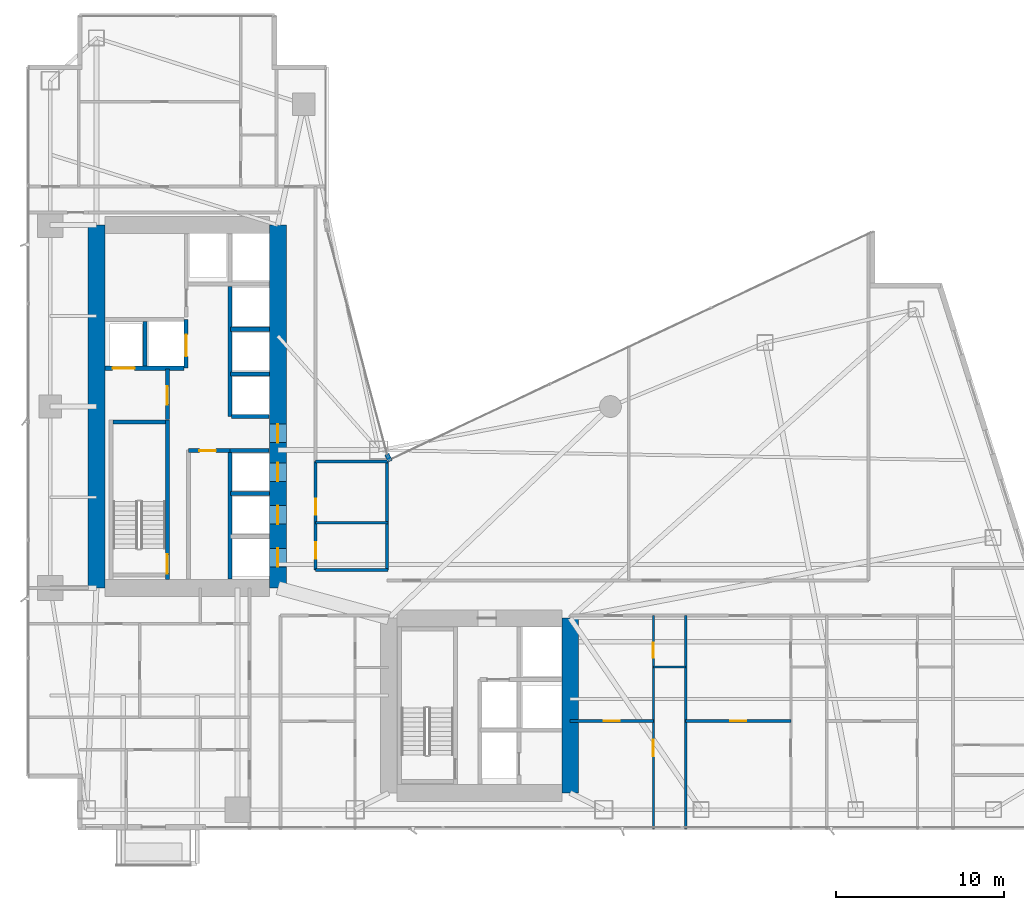
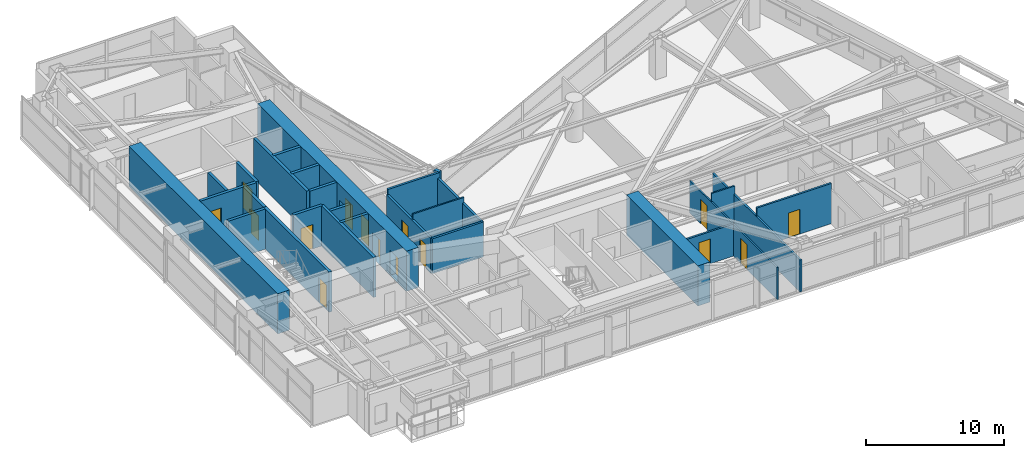
# One storey, part 23 of 30: 28 walls, 15 doors, 15 openings.
"""IFC4 building model written with IfcOpenShell, lengths in metres."""

from ifc_helpers import new_model, si_unit, direction, frame, frame_2d, origin, place, context, subcontext, project, spatial, rectangle, extrude, material, layer, layer_set, type_object, element, fill, save


model = new_model("IFC4")

# Units and contexts
model_context = context("Model", 3, precision=1e-05, world=origin(), true_north=direction((0.0, 1.0)))
body_context = subcontext(model_context, "Body", "Model", "MODEL_VIEW")
ifc_project = project(units=[si_unit("LENGTHUNIT", "METRE"), si_unit("AREAUNIT", "SQUARE_METRE"), si_unit("VOLUMEUNIT", "CUBIC_METRE"), si_unit("PLANEANGLEUNIT", "RADIAN"), si_unit("MASSUNIT", "GRAM", prefix="KILO")], contexts=[model_context])

# Site, building, storey
site_placement = place(None, origin())
site = spatial("IfcSite", under=ifc_project, at=site_placement, CompositionType="ELEMENT")
building_placement = place(site_placement, origin())
building = spatial("IfcBuilding", under=site, at=building_placement, Name="Calvorn Quay Hotel", CompositionType="ELEMENT")
storey_placement = place(building_placement, frame((0.0, 0.0, 30.800048828125)))
storey = spatial("IfcBuildingStorey", under=building, at=storey_placement, Name="L06", CompositionType="ELEMENT", Elevation=30.800048828125)

# Wall
ifc_material_1 = material(Name="Concrete C60", Category="concrete")
ifc_layer_1 = layer(ifc_material_1, 1.0)
ifc_layer_set_1 = layer_set([ifc_layer_1], Name="WL-CORE-1000")
wall_type_1 = type_object("IfcWallType", Name="WL-CORE-1000", PredefinedType="SHEAR", material=ifc_layer_set_1)
wall_1_placement = place(storey_placement, frame((4.199951171875, 16.800048828125, 0.0), z_axis=(0.0, 0.0, 1.0), x_axis=(0.0, 1.0, 0.0)))
element("IfcWall", 1, at=wall_1_placement, inside=storey, type_object=wall_type_1, Name="West Core Shear Wall W (L06)", PredefinedType="SHEAR", context=body_context, shape_type="SweptSolid", body=[
    extrude(rectangle(XDim=21.599853515625, YDim=1.0, at=frame_2d((10.7998046875, 0.0))), origin(), (0.0, 0.0, 1.0), 3.56005859375),
])

# Wall, openings, doors
wall_2_placement = place(storey_placement, frame((15.0, 16.800048828125, 0.0), z_axis=(0.0, 0.0, 1.0), x_axis=(0.0, 1.0, 0.0)))
wall_2 = element("IfcWall", 2, at=wall_2_placement, inside=storey, type_object=wall_type_1, Name="West Core Shear Wall E (L06)", PredefinedType="SHEAR", context=body_context, shape_type="SweptSolid", body=[
    extrude(rectangle(XDim=21.599853515625, YDim=1.0, at=frame_2d((10.7998046875, 0.0))), origin(), (0.0, 0.0, 1.0), 3.56005859375),
])
opening_1_placement = place(wall_2_placement, frame((8.64990234375, 0.0, 0.0)))
opening_1 = element("IfcOpeningElement", 3, at=opening_1_placement, cuts=wall_2, Name="Opening D-L06-CW1", PredefinedType="OPENING", context=body_context, shape_type="SweptSolid", body=[
    extrude(rectangle(XDim=1.10009765625, YDim=2.199951171875, at=frame_2d((0.550048828125, 1.10009765625))), frame((0.0, 0.510009765625, 0.0), z_axis=(0.0, -1.0, 0.0), x_axis=(1.0, 0.0, 0.0)), (0.0, 0.0, 1.0), 1.02001953125),
])
opening_2_placement = place(wall_2_placement, frame((1.25, 0.0, 0.0)))
opening_2 = element("IfcOpeningElement", 4, at=opening_2_placement, cuts=wall_2, Name="Opening LD-L06-L1", PredefinedType="OPENING", context=body_context, shape_type="SweptSolid", body=[
    extrude(rectangle(XDim=1.10009765625, YDim=2.199951171875, at=frame_2d((0.550048828125, 1.10009765625))), frame((0.0, 0.510009765625, 0.0), z_axis=(0.0, -1.0, 0.0), x_axis=(1.0, 0.0, 0.0)), (0.0, 0.0, 1.0), 1.02001953125),
])
opening_3_placement = place(wall_2_placement, frame((3.800048828125, 0.0, 0.0)))
opening_3 = element("IfcOpeningElement", 5, at=opening_3_placement, cuts=wall_2, Name="Opening LD-L06-L2", PredefinedType="OPENING", context=body_context, shape_type="SweptSolid", body=[
    extrude(rectangle(XDim=1.10009765625, YDim=2.199951171875, at=frame_2d((0.550048828125, 1.10009765625))), frame((0.0, 0.510009765625, 0.0), z_axis=(0.0, -1.0, 0.0), x_axis=(1.0, 0.0, 0.0)), (0.0, 0.0, 1.0), 1.02001953125),
])
opening_4_placement = place(wall_2_placement, frame((6.35009765625, 0.0, 0.0)))
opening_4 = element("IfcOpeningElement", 6, at=opening_4_placement, cuts=wall_2, Name="Opening LD-L06-L3", PredefinedType="OPENING", context=body_context, shape_type="SweptSolid", body=[
    extrude(rectangle(XDim=1.10009765625, YDim=2.199951171875, at=frame_2d((0.550048828125, 1.10009765625))), frame((0.0, 0.510009765625, 0.0), z_axis=(0.0, -1.0, 0.0), x_axis=(1.0, 0.0, 0.0)), (0.0, 0.0, 1.0), 1.02001953125),
])
ifc_material_2 = material(Name="Smoke-Sealed Steel Class A Fire Door", Category="steel")
door_type_1 = type_object("IfcDoorType", Name="DR-FFLOBBY-1100", OperationType="NOTDEFINED", PredefinedType="DOOR", material=ifc_material_2)
door_1_placement = place(opening_1_placement, origin())
door_1 = element("IfcDoor", 7, at=door_1_placement, inside=storey, type_object=door_type_1, Name="West Core Vestibule Fire Door (L06)", OperationType="SINGLE_SWING_LEFT", OverallHeight=2.199951171875, OverallWidth=1.10009765625, PredefinedType="DOOR", context=body_context, shape_type="SweptSolid", body=[
    extrude(rectangle(XDim=1.10009765625, YDim=2.199951171875, at=frame_2d((0.550048828125, 1.10009765625))), frame((0.0, 0.02490234375, 0.0), z_axis=(0.0, -1.0, 0.0), x_axis=(1.0, 0.0, 0.0)), (0.0, 0.0, 1.0), 0.050048828125),
])
fill(opening_1, door_1)
ifc_material_3 = material(Name="Brushed Stainless Steel Sliding Lift Landing Door", Category="steel")
door_type_2 = type_object("IfcDoorType", Name="DR-LIFT-PASS-1100", OperationType="NOTDEFINED", PredefinedType="DOOR", material=ifc_material_3)
door_2_placement = place(opening_2_placement, origin())
door_2 = element("IfcDoor", 8, at=door_2_placement, inside=storey, type_object=door_type_2, Name="Low-Rise Lift PL-L1 Landing Door (L06)", OperationType="DOUBLE_DOOR_SLIDING", OverallHeight=2.199951171875, OverallWidth=1.10009765625, PredefinedType="DOOR", context=body_context, shape_type="SweptSolid", body=[
    extrude(rectangle(XDim=1.10009765625, YDim=2.199951171875, at=frame_2d((0.550048828125, 1.10009765625))), frame((0.0, 0.02490234375, 0.0), z_axis=(0.0, -1.0, 0.0), x_axis=(1.0, 0.0, 0.0)), (0.0, 0.0, 1.0), 0.050048828125),
])
fill(opening_2, door_2)
door_3_placement = place(opening_3_placement, origin())
door_3 = element("IfcDoor", 9, at=door_3_placement, inside=storey, type_object=door_type_2, Name="Low-Rise Lift PL-L2 Landing Door (L06)", OperationType="DOUBLE_DOOR_SLIDING", OverallHeight=2.199951171875, OverallWidth=1.10009765625, PredefinedType="DOOR", context=body_context, shape_type="SweptSolid", body=[
    extrude(rectangle(XDim=1.10009765625, YDim=2.199951171875, at=frame_2d((0.550048828125, 1.10009765625))), frame((0.0, 0.02490234375, 0.0), z_axis=(0.0, -1.0, 0.0), x_axis=(1.0, 0.0, 0.0)), (0.0, 0.0, 1.0), 0.050048828125),
])
fill(opening_3, door_3)
door_4_placement = place(opening_4_placement, origin())
door_4 = element("IfcDoor", 10, at=door_4_placement, inside=storey, type_object=door_type_2, Name="Low-Rise Lift PL-L3 Landing Door (L06)", OperationType="DOUBLE_DOOR_SLIDING", OverallHeight=2.199951171875, OverallWidth=1.10009765625, PredefinedType="DOOR", context=body_context, shape_type="SweptSolid", body=[
    extrude(rectangle(XDim=1.10009765625, YDim=2.199951171875, at=frame_2d((0.550048828125, 1.10009765625))), frame((0.0, 0.02490234375, 0.0), z_axis=(0.0, -1.0, 0.0), x_axis=(1.0, 0.0, 0.0)), (0.0, 0.0, 1.0), 0.050048828125),
])
fill(opening_4, door_4)

# Walls
wall_3_placement = place(storey_placement, frame((32.39990234375, 4.60009765625, 0.0), z_axis=(0.0, 0.0, 1.0), x_axis=(0.0, 1.0, 0.0)))
element("IfcWall", 11, at=wall_3_placement, inside=storey, type_object=wall_type_1, Name="East Core Shear Wall E (L06)", PredefinedType="SHEAR", context=body_context, shape_type="SweptSolid", body=[
    extrude(rectangle(XDim=10.39990234375, YDim=1.0, at=frame_2d((5.199951171875, 0.0))), origin(), (0.0, 0.0, 1.0), 3.56005859375),
])
ifc_material_4 = material(Name="Acoustic Fireboard Steel-Stud Partition", Category="steel")
ifc_layer_2 = layer(ifc_material_4, 0.179931640625)
ifc_layer_set_2 = layer_set([ifc_layer_2], Name="WL-CORR-FIRE-180")
wall_type_2 = type_object("IfcWallType", Name="WL-CORR-FIRE-180", PredefinedType="PARTITIONING", material=ifc_layer_set_2)
wall_4_placement = place(storey_placement, frame((17.25, 17.8798828125, 0.0), z_axis=(0.0, 0.0, 1.0), x_axis=(1.0, 0.0, 0.0)))
element("IfcWall", 12, at=wall_4_placement, inside=storey, type_object=wall_type_2, Name="Partition Wall L06-WL-HK-S", PredefinedType="PARTITIONING", context=body_context, shape_type="SweptSolid", body=[
    extrude(rectangle(XDim=4.300048828125, YDim=0.179931640625, at=frame_2d((2.14990234375, 0.0))), origin(), (0.0, 0.0, 1.0), 3.08984375),
])
wall_5_placement = place(storey_placement, frame((17.25, 24.320068359375, 0.0), z_axis=(0.0, 0.0, 1.0), x_axis=(1.0, 0.0, 0.0)))
element("IfcWall", 13, at=wall_5_placement, inside=storey, type_object=wall_type_2, Name="Partition Wall L06-WL-HK-N", PredefinedType="PARTITIONING", context=body_context, shape_type="SweptSolid", body=[
    extrude(rectangle(XDim=4.35009765625, YDim=0.179931640625, at=frame_2d((2.175048828125, 0.0))), origin(), (0.0, 0.0, 1.0), 3.56005859375),
])
wall_6_placement = place(storey_placement, frame((21.5, 17.8798828125, 0.0), z_axis=(0.0, 0.0, 1.0), x_axis=(0.0, 1.0, 0.0)))
element("IfcWall", 14, at=wall_6_placement, inside=storey, type_object=wall_type_2, Name="Partition Wall L06-WL-HK-E", PredefinedType="PARTITIONING", context=body_context, shape_type="SweptSolid", body=[
    extrude(rectangle(XDim=6.440185546875, YDim=0.179931640625, at=frame_2d((3.22021484375, 0.0))), origin(), (0.0, 0.0, 1.0), 3.08984375),
])

# Wall, openings, doors
wall_7_placement = place(storey_placement, frame((17.25, 17.8798828125, 0.0), z_axis=(0.0, 0.0, 1.0), x_axis=(0.0, 1.0, 0.0)))
wall_7 = element("IfcWall", 15, at=wall_7_placement, inside=storey, type_object=wall_type_2, Name="Partition Wall L06-WL-HK-W", PredefinedType="PARTITIONING", context=body_context, shape_type="SweptSolid", body=[
    extrude(rectangle(XDim=6.440185546875, YDim=0.179931640625, at=frame_2d((3.22021484375, 0.0))), origin(), (0.0, 0.0, 1.0), 3.08984375),
])
opening_5_placement = place(wall_7_placement, frame((0.64990234375, 0.0, 0.0)))
opening_5 = element("IfcOpeningElement", 16, at=opening_5_placement, cuts=wall_7, Name="Opening D-L06-HK", PredefinedType="OPENING", context=body_context, shape_type="SweptSolid", body=[
    extrude(rectangle(XDim=0.97998046875, YDim=2.14990234375, at=frame_2d((0.489990234375, 1.074951171875))), frame((0.0, 0.099853515625, 0.0), z_axis=(0.0, -1.0, 0.0), x_axis=(1.0, 0.0, 0.0)), (0.0, 0.0, 1.0), 0.199951171875),
])
opening_6_placement = place(wall_7_placement, frame((3.27001953125, 0.0, 0.0)))
opening_6 = element("IfcOpeningElement", 17, at=opening_6_placement, cuts=wall_7, Name="Opening D-L06-NCP", PredefinedType="OPENING", context=body_context, shape_type="SweptSolid", body=[
    extrude(rectangle(XDim=0.9599609375, YDim=2.199951171875, at=frame_2d((0.47998046875, 1.10009765625))), frame((0.0, 0.099853515625, 0.0), z_axis=(0.0, -1.0, 0.0), x_axis=(1.0, 0.0, 0.0)), (0.0, 0.0, 1.0), 0.199951171875),
])
ifc_material_5 = material(Name="Painted Steel Housekeeping/Riser Fire Door", Category="steel")
door_type_3 = type_object("IfcDoorType", Name="DR-SERVICE-980", OperationType="NOTDEFINED", PredefinedType="DOOR", material=ifc_material_5)
door_5_placement = place(opening_5_placement, origin())
door_5 = element("IfcDoor", 18, at=door_5_placement, inside=storey, type_object=door_type_3, Name="Floor Housekeeping Door (L06)", OperationType="SINGLE_SWING_LEFT", OverallHeight=2.14990234375, OverallWidth=0.97998046875, PredefinedType="DOOR", context=body_context, shape_type="SweptSolid", body=[
    extrude(rectangle(XDim=0.97998046875, YDim=2.14990234375, at=frame_2d((0.489990234375, 1.074951171875))), frame((0.0, 0.02490234375, 0.0), z_axis=(0.0, -1.0, 0.0), x_axis=(1.0, 0.0, 0.0)), (0.0, 0.0, 1.0), 0.050048828125),
])
fill(opening_5, door_5)
ifc_material_6 = material(Name="Solid Timber Internal Suite Door", Category="wood")
door_type_4 = type_object("IfcDoorType", Name="DR-SUITE-INT-960", OperationType="NOTDEFINED", PredefinedType="DOOR", material=ifc_material_6)
door_6_placement = place(opening_6_placement, origin())
door_6 = element("IfcDoor", 19, at=door_6_placement, inside=storey, type_object=door_type_4, Name="Reading Alcove Door (L06)", OperationType="SINGLE_SWING_RIGHT", OverallHeight=2.199951171875, OverallWidth=0.9599609375, PredefinedType="DOOR", context=body_context, shape_type="SweptSolid", body=[
    extrude(rectangle(XDim=0.9599609375, YDim=2.199951171875, at=frame_2d((0.47998046875, 1.10009765625))), frame((0.0, 0.02490234375, 0.0), z_axis=(0.0, -1.0, 0.0), x_axis=(1.0, 0.0, 0.0)), (0.0, 0.0, 1.0), 0.050048828125),
])
fill(opening_6, door_6)

# Walls
ifc_material_7 = material(Name="Moisture-Resistant Tile-Backed Partition")
ifc_layer_3 = layer(ifc_material_7, 0.125)
ifc_layer_set_3 = layer_set([ifc_layer_3], Name="WL-ENSUITE-125")
wall_type_3 = type_object("IfcWallType", Name="WL-ENSUITE-125", PredefinedType="PARTITIONING", material=ifc_layer_set_3)
wall_8_placement = place(storey_placement, frame((17.25, 20.679931640625, 0.0), z_axis=(0.0, 0.0, 1.0), x_axis=(1.0, 0.0, 0.0)))
element("IfcWall", 20, at=wall_8_placement, inside=storey, type_object=wall_type_3, Name="Partition Wall L06-WL-HK-M", PredefinedType="PARTITIONING", context=body_context, shape_type="SweptSolid", body=[
    extrude(rectangle(XDim=4.300048828125, YDim=0.125, at=frame_2d((2.14990234375, 0.0))), origin(), (0.0, 0.0, 1.0), 3.56005859375),
])
wall_9_placement = place(storey_placement, frame((37.35009765625, 12.10009765625, 0.0), z_axis=(0.0, 0.0, 1.0), x_axis=(1.0, 0.0, 0.0)))
element("IfcWall", 21, at=wall_9_placement, inside=storey, type_object=wall_type_3, Name="Partition Wall L06-WL-U05-BDV", PredefinedType="PARTITIONING", context=body_context, shape_type="SweptSolid", body=[
    extrude(rectangle(XDim=1.929931640625, YDim=0.125, at=frame_2d((0.96484375, 0.0))), origin(), (0.0, 0.0, 1.0), 3.56005859375),
])

# Wall, openings, doors
wall_10_placement = place(storey_placement, frame((37.35009765625, 2.43994140625, 0.0), z_axis=(0.0, 0.0, 1.0), x_axis=(0.0, 1.0, 0.0)))
wall_10 = element("IfcWall", 22, at=wall_10_placement, inside=storey, type_object=wall_type_3, Name="Partition Wall L06-WL-U05-BV", PredefinedType="PARTITIONING", context=body_context, shape_type="SweptSolid", body=[
    extrude(rectangle(XDim=12.7099609375, YDim=0.125, at=frame_2d((6.35498046875, 0.0))), origin(), (0.0, 0.0, 1.0), 2.83984375),
])
opening_7_placement = place(wall_10_placement, frame((4.35009765625, 0.0, 0.0)))
opening_7 = element("IfcOpeningElement", 23, at=opening_7_placement, cuts=wall_10, Name="Opening D-L06-S05", PredefinedType="OPENING", context=body_context, shape_type="SweptSolid", body=[
    extrude(rectangle(XDim=0.9599609375, YDim=2.199951171875, at=frame_2d((0.47998046875, 1.10009765625))), frame((0.0, 0.072509765625, 0.0), z_axis=(0.0, -1.0, 0.0), x_axis=(1.0, 0.0, 0.0)), (0.0, 0.0, 1.0), 0.14501953125),
])
opening_8_placement = place(wall_10_placement, frame((10.2099609375, 0.0, 0.0)))
opening_8 = element("IfcOpeningElement", 24, at=opening_8_placement, cuts=wall_10, Name="Opening D-L06-E05", PredefinedType="OPENING", context=body_context, shape_type="SweptSolid", body=[
    extrude(rectangle(XDim=0.89990234375, YDim=2.14990234375, at=frame_2d((0.449951171875, 1.074951171875))), frame((0.0, 0.072509765625, 0.0), z_axis=(0.0, -1.0, 0.0), x_axis=(1.0, 0.0, 0.0)), (0.0, 0.0, 1.0), 0.14501953125),
])
ifc_material_8 = material(Name="Moisture-Sealed Timber En-Suite Door", Category="wood")
door_type_5 = type_object("IfcDoorType", Name="DR-ENSUITE-900", OperationType="NOTDEFINED", PredefinedType="DOOR", material=ifc_material_8)
door_7_placement = place(opening_8_placement, origin())
door_7 = element("IfcDoor", 25, at=door_7_placement, inside=storey, type_object=door_type_5, Name="En-Suite Door 05", OperationType="SINGLE_SWING_RIGHT", OverallHeight=2.14990234375, OverallWidth=0.89990234375, PredefinedType="DOOR", context=body_context, shape_type="SweptSolid", body=[
    extrude(rectangle(XDim=0.89990234375, YDim=2.14990234375, at=frame_2d((0.449951171875, 1.074951171875))), frame((0.0, 0.02490234375, 0.0), z_axis=(0.0, -1.0, 0.0), x_axis=(1.0, 0.0, 0.0)), (0.0, 0.0, 1.0), 0.050048828125),
])
fill(opening_8, door_7)
door_8_placement = place(opening_7_placement, origin())
door_8 = element("IfcDoor", 26, at=door_8_placement, inside=storey, type_object=door_type_4, Name="Executive Study Door 05", OperationType="SINGLE_SWING_LEFT", OverallHeight=2.199951171875, OverallWidth=0.9599609375, PredefinedType="DOOR", context=body_context, shape_type="SweptSolid", body=[
    extrude(rectangle(XDim=0.9599609375, YDim=2.199951171875, at=frame_2d((0.47998046875, 1.10009765625))), frame((0.0, 0.02490234375, 0.0), z_axis=(0.0, -1.0, 0.0), x_axis=(1.0, 0.0, 0.0)), (0.0, 0.0, 1.0), 0.050048828125),
])
fill(opening_7, door_8)

# Wall
ifc_material_9 = material(Name="Concrete C40", Category="concrete")
ifc_layer_4 = layer(ifc_material_9, 0.320068359375)
ifc_layer_set_4 = layer_set([ifc_layer_4], Name="WL-EXT-SPANDREL-320")
wall_type_4 = type_object("IfcWallType", Name="WL-EXT-SPANDREL-320", PredefinedType="SOLIDWALL", material=ifc_layer_set_4)
wall_11_placement = place(storey_placement, frame((21.679931640625, 24.340087890625, 0.0), z_axis=(0.0, 0.0, 1.0), x_axis=(-0.40758134973, 0.913168901875, 0.0)))
element("IfcWall", 27, at=wall_11_placement, inside=storey, type_object=wall_type_4, Name="Inner Court Corner Pier L06-ICJ1", PredefinedType="SOLIDWALL", context=body_context, shape_type="SweptSolid", body=[
    extrude(rectangle(XDim=0.470703125, YDim=0.280029296875, at=frame_2d((0.2353515625, 0.0))), origin(), (0.0, 0.0, 1.0), 3.56005859375),
])

# Wall, opening, door
ifc_material_10 = material(Name="Double-Stud Acoustic Gypsum Partition")
ifc_layer_5 = layer(ifc_material_10, 0.159912109375)
ifc_layer_set_5 = layer_set([ifc_layer_5], Name="WL-INTERSUITE-160")
wall_type_5 = type_object("IfcWallType", Name="WL-INTERSUITE-160", PredefinedType="PARTITIONING", material=ifc_layer_set_5)
wall_12_placement = place(storey_placement, frame((32.39990234375, 8.8798828125, 0.0), z_axis=(0.0, 0.0, 1.0), x_axis=(1.0, 0.0, 0.0)))
wall_12 = element("IfcWall", 28, at=wall_12_placement, inside=storey, type_object=wall_type_5, Name="Partition Wall L06-WL-U05-MSP", PredefinedType="PARTITIONING", context=body_context, shape_type="SweptSolid", body=[
    extrude(rectangle(XDim=4.9501953125, YDim=0.159912109375, at=frame_2d((2.47509765625, 0.0))), origin(), (0.0, 0.0, 1.0), 2.83984375),
])
opening_9_placement = place(wall_12_placement, frame((2.0, 0.0, 0.0)))
opening_9 = element("IfcOpeningElement", 29, at=opening_9_placement, cuts=wall_12, Name="Opening D-L06-M05", PredefinedType="OPENING", context=body_context, shape_type="SweptSolid", body=[
    extrude(rectangle(XDim=0.9599609375, YDim=2.199951171875, at=frame_2d((0.47998046875, 1.10009765625))), frame((0.0, 0.08984375, 0.0), z_axis=(0.0, -1.0, 0.0), x_axis=(1.0, 0.0, 0.0)), (0.0, 0.0, 1.0), 0.179931640625),
])
door_9_placement = place(opening_9_placement, origin())
door_9 = element("IfcDoor", 30, at=door_9_placement, inside=storey, type_object=door_type_4, Name="Suite Bedroom Door 05", OperationType="SINGLE_SWING_LEFT", OverallHeight=2.199951171875, OverallWidth=0.9599609375, PredefinedType="DOOR", context=body_context, shape_type="SweptSolid", body=[
    extrude(rectangle(XDim=0.9599609375, YDim=2.199951171875, at=frame_2d((0.47998046875, 1.10009765625))), frame((0.0, 0.02490234375, 0.0), z_axis=(0.0, -1.0, 0.0), x_axis=(1.0, 0.0, 0.0)), (0.0, 0.0, 1.0), 0.050048828125),
])
fill(opening_9, door_9)

wall_13_placement = place(storey_placement, frame((39.280029296875, 8.8798828125, 0.0), z_axis=(0.0, 0.0, 1.0), x_axis=(1.0, 0.0, 0.0)))
wall_13 = element("IfcWall", 31, at=wall_13_placement, inside=storey, type_object=wall_type_5, Name="Partition Wall L06-WL-U06-MSP", PredefinedType="PARTITIONING", context=body_context, shape_type="SweptSolid", body=[
    extrude(rectangle(XDim=6.260009765625, YDim=0.159912109375, at=frame_2d((3.1298828125, 0.0))), origin(), (0.0, 0.0, 1.0), 3.56005859375),
])
opening_10_placement = place(wall_13_placement, frame((2.64990234375, 0.0, 0.0)))
opening_10 = element("IfcOpeningElement", 32, at=opening_10_placement, cuts=wall_13, Name="Opening D-L06-M06", PredefinedType="OPENING", context=body_context, shape_type="SweptSolid", body=[
    extrude(rectangle(XDim=0.9599609375, YDim=2.199951171875, at=frame_2d((0.47998046875, 1.10009765625))), frame((0.0, 0.08984375, 0.0), z_axis=(0.0, -1.0, 0.0), x_axis=(1.0, 0.0, 0.0)), (0.0, 0.0, 1.0), 0.179931640625),
])
door_10_placement = place(opening_10_placement, origin())
door_10 = element("IfcDoor", 33, at=door_10_placement, inside=storey, type_object=door_type_4, Name="Suite Bedroom Door 06", OperationType="SINGLE_SWING_LEFT", OverallHeight=2.199951171875, OverallWidth=0.9599609375, PredefinedType="DOOR", context=body_context, shape_type="SweptSolid", body=[
    extrude(rectangle(XDim=0.9599609375, YDim=2.199951171875, at=frame_2d((0.47998046875, 1.10009765625))), frame((0.0, 0.02490234375, 0.0), z_axis=(0.0, -1.0, 0.0), x_axis=(1.0, 0.0, 0.0)), (0.0, 0.0, 1.0), 0.050048828125),
])
fill(opening_10, door_10)

# Wall
wall_14_placement = place(storey_placement, frame((39.280029296875, 2.43994140625, 0.0), z_axis=(0.0, 0.0, 1.0), x_axis=(0.0, 1.0, 0.0)))
element("IfcWall", 34, at=wall_14_placement, inside=storey, type_object=wall_type_5, Name="Partition Wall L06-WL-SE-DIV-1", PredefinedType="PARTITIONING", context=body_context, shape_type="SweptSolid", body=[
    extrude(rectangle(XDim=12.7099609375, YDim=0.159912109375, at=frame_2d((6.35498046875, 0.0))), origin(), (0.0, 0.0, 1.0), 2.83984375),
])

# Wall, opening, door
ifc_material_11 = material(Name="Concrete C40", Category="concrete")
ifc_layer_6 = layer(ifc_material_11, 0.239990234375)
ifc_layer_set_6 = layer_set([ifc_layer_6], Name="WL-SHAFT-240")
wall_type_6 = type_object("IfcWallType", Name="WL-SHAFT-240", PredefinedType="SOLIDWALL", material=ifc_layer_set_6)
wall_15_placement = place(storey_placement, frame((8.419921875, 17.300048828125, 0.0), z_axis=(0.0, 0.0, 1.0), x_axis=(0.0, 1.0, 0.0)))
wall_15 = element("IfcWall", 35, at=wall_15_placement, inside=storey, type_object=wall_type_6, Name="Stair STW Shaft Wall E (L06)", PredefinedType="SOLIDWALL", context=body_context, shape_type="SweptSolid", body=[
    extrude(rectangle(XDim=9.489990234375, YDim=0.239990234375, at=frame_2d((4.7451171875, 0.0))), origin(), (0.0, 0.0, 1.0), 3.56005859375),
])
opening_11_placement = place(wall_15_placement, frame((0.35009765625, 0.0, 0.0)))
opening_11 = element("IfcOpeningElement", 36, at=opening_11_placement, cuts=wall_15, Name="Opening D-L06-STW", PredefinedType="OPENING", context=body_context, shape_type="SweptSolid", body=[
    extrude(rectangle(XDim=1.14990234375, YDim=2.199951171875, at=frame_2d((0.574951171875, 1.10009765625))), frame((0.0, 0.1298828125, 0.0), z_axis=(0.0, -1.0, 0.0), x_axis=(1.0, 0.0, 0.0)), (0.0, 0.0, 1.0), 0.260009765625),
])
ifc_material_12 = material(Name="Galvanised Steel Class A Fire Door", Category="steel")
door_type_6 = type_object("IfcDoorType", Name="DR-STAIR-SMOKE-1150", OperationType="NOTDEFINED", PredefinedType="DOOR", material=ifc_material_12)
door_11_placement = place(opening_11_placement, origin())
door_11 = element("IfcDoor", 37, at=door_11_placement, inside=storey, type_object=door_type_6, Name="Stair ST-W Fire Door (L06)", OperationType="SINGLE_SWING_LEFT", OverallHeight=2.199951171875, OverallWidth=1.14990234375, PredefinedType="DOOR", context=body_context, shape_type="SweptSolid", body=[
    extrude(rectangle(XDim=1.14990234375, YDim=2.199951171875, at=frame_2d((0.574951171875, 1.10009765625))), frame((0.0, 0.02490234375, 0.0), z_axis=(0.0, -1.0, 0.0), x_axis=(1.0, 0.0, 0.0)), (0.0, 0.0, 1.0), 0.050048828125),
])
fill(opening_11, door_11)

# Walls
wall_16_placement = place(storey_placement, frame((5.199951171875, 26.669921875, 0.0), z_axis=(0.0, 0.0, 1.0), x_axis=(1.0, 0.0, 0.0)))
element("IfcWall", 38, at=wall_16_placement, inside=storey, type_object=wall_type_6, Name="Stair STW Shaft Wall N (L06)", PredefinedType="SOLIDWALL", context=body_context, shape_type="SweptSolid", body=[
    extrude(rectangle(XDim=3.10009765625, YDim=0.239990234375, at=frame_2d((1.550048828125, 0.0))), origin(), (0.0, 0.0, 1.0), 3.56005859375),
])
for number, where, z_axis, x_axis, name in (
    (39, (12.179931640625, 22.425048828125, 0.0), (0.0, 0.0, 1.0), (1.0, 0.0, 0.0), "Lift Hoistway Divider Wall PLL23 (L06)"),
    (40, (12.179931640625, 29.550048828125, 0.0), (0.0, 0.0, 1.0), (1.0, 0.0, 0.0), "Lift Hoistway Divider Wall PLM12 (L06)"),
    (41, (12.179931640625, 32.199951171875, 0.0), (0.0, 0.0, 1.0), (1.0, 0.0, 0.0), "Lift Hoistway Divider Wall PLM23 (L06)"),
):
    element("IfcWall", number, at=place(storey_placement, frame(where, z_axis=z_axis, x_axis=x_axis)), inside=storey, type_object=wall_type_6, Name=name, PredefinedType="SOLIDWALL", context=body_context, shape_type="SweptSolid", body=[
        extrude(rectangle(XDim=2.320068359375, YDim=0.239990234375, at=frame_2d((1.16015625, 0.0))), origin(), (0.0, 0.0, 1.0), 3.56005859375),
    ])

# Wall, opening, door
wall_17_placement = place(storey_placement, frame((8.419921875, 26.820068359375, 0.0), z_axis=(0.0, 0.0, 1.0), x_axis=(0.0, 1.0, 0.0)))
wall_17 = element("IfcWall", 42, at=wall_17_placement, inside=storey, type_object=wall_type_6, Name="Partition Wall L06-WL-CWW-FFL-E", PredefinedType="SOLIDWALL", context=body_context, shape_type="SweptSolid", body=[
    extrude(rectangle(XDim=3.0, YDim=0.239990234375, at=frame_2d((1.5, 0.0))), origin(), (0.0, 0.0, 1.0), 3.56005859375),
])
opening_12_placement = place(wall_17_placement, frame((0.89990234375, 0.0, 0.0)))
opening_12 = element("IfcOpeningElement", 43, at=opening_12_placement, cuts=wall_17, Name="Opening D-L06-FLW", PredefinedType="OPENING", context=body_context, shape_type="SweptSolid", body=[
    extrude(rectangle(XDim=1.10009765625, YDim=2.199951171875, at=frame_2d((0.550048828125, 1.10009765625))), frame((0.0, 0.1298828125, 0.0), z_axis=(0.0, -1.0, 0.0), x_axis=(1.0, 0.0, 0.0)), (0.0, 0.0, 1.0), 0.260009765625),
])
door_12_placement = place(opening_12_placement, origin())
door_12 = element("IfcDoor", 44, at=door_12_placement, inside=storey, type_object=door_type_1, Name="West Firefighting Lobby Fire Door (L06)", OperationType="SINGLE_SWING_RIGHT", OverallHeight=2.199951171875, OverallWidth=1.10009765625, PredefinedType="DOOR", context=body_context, shape_type="SweptSolid", body=[
    extrude(rectangle(XDim=1.10009765625, YDim=2.199951171875, at=frame_2d((0.550048828125, 1.10009765625))), frame((0.0, 0.02490234375, 0.0), z_axis=(0.0, -1.0, 0.0), x_axis=(1.0, 0.0, 0.0)), (0.0, 0.0, 1.0), 0.050048828125),
])
fill(opening_12, door_12)

wall_18_placement = place(storey_placement, frame((4.719970703125, 29.8798828125, 0.0), z_axis=(0.0, 0.0, 1.0), x_axis=(1.0, 0.0, 0.0)))
wall_18 = element("IfcWall", 45, at=wall_18_placement, inside=storey, type_object=wall_type_6, Name="Partition Wall L06-WL-CWW-FLW-S", PredefinedType="SOLIDWALL", context=body_context, shape_type="SweptSolid", body=[
    extrude(rectangle(XDim=4.699951171875, YDim=0.239990234375, at=frame_2d((2.35009765625, 0.0))), origin(), (0.0, 0.0, 1.0), 3.56005859375),
])
opening_13_placement = place(wall_18_placement, frame((0.449951171875, 0.0, 0.0)))
opening_13 = element("IfcOpeningElement", 46, at=opening_13_placement, cuts=wall_18, Name="Opening LD-L06-FLW1", PredefinedType="OPENING", context=body_context, shape_type="SweptSolid", body=[
    extrude(rectangle(XDim=1.300048828125, YDim=2.35009765625, at=frame_2d((0.64990234375, 1.175048828125))), frame((0.0, 0.1298828125, 0.0), z_axis=(0.0, -1.0, 0.0), x_axis=(1.0, 0.0, 0.0)), (0.0, 0.0, 1.0), 0.260009765625),
])
ifc_material_13 = material(Name="Champagne-Bronze Sliding Express Lift Landing Door")
door_type_7 = type_object("IfcDoorType", Name="DR-LIFT-SHUTTLE-1300", OperationType="NOTDEFINED", PredefinedType="DOOR", material=ifc_material_13)
door_13_placement = place(opening_13_placement, origin())
door_13 = element("IfcDoor", 47, at=door_13_placement, inside=storey, type_object=door_type_7, Name="Firefighting Lift FL-W1 Landing Door (L06)", OperationType="DOUBLE_DOOR_SLIDING", OverallHeight=2.35009765625, OverallWidth=1.300048828125, PredefinedType="DOOR", context=body_context, shape_type="SweptSolid", body=[
    extrude(rectangle(XDim=1.300048828125, YDim=2.35009765625, at=frame_2d((0.64990234375, 1.175048828125))), frame((0.0, 0.02490234375, 0.0), z_axis=(0.0, -1.0, 0.0), x_axis=(1.0, 0.0, 0.0)), (0.0, 0.0, 1.0), 0.050048828125),
])
fill(opening_13, door_13)

# Wall
wall_19_placement = place(storey_placement, frame((7.10009765625, 30.02001953125, 0.0), z_axis=(0.0, 0.0, 1.0), x_axis=(0.0, 1.0, 0.0)))
element("IfcWall", 48, at=wall_19_placement, inside=storey, type_object=wall_type_6, Name="Partition Wall L06-WL-CWW-FLW-DIV", PredefinedType="SOLIDWALL", context=body_context, shape_type="SweptSolid", body=[
    extrude(rectangle(XDim=2.6298828125, YDim=0.239990234375, at=frame_2d((1.31494140625, 0.0))), origin(), (0.0, 0.0, 1.0), 3.56005859375),
])

# Wall, opening, door
wall_20_placement = place(storey_placement, frame((9.5400390625, 29.8798828125, 0.0), z_axis=(0.0, 0.0, 1.0), x_axis=(0.0, 1.0, 0.0)))
wall_20 = element("IfcWall", 49, at=wall_20_placement, inside=storey, type_object=wall_type_6, Name="Partition Wall L06-WL-CWW-SLW-E", PredefinedType="SOLIDWALL", context=body_context, shape_type="SweptSolid", body=[
    extrude(rectangle(XDim=2.900146484375, YDim=0.239990234375, at=frame_2d((1.4501953125, 0.0))), origin(), (0.0, 0.0, 1.0), 3.56005859375),
])
opening_14_placement = place(wall_20_placement, frame((0.699951171875, 0.0, 0.0)))
opening_14 = element("IfcOpeningElement", 50, at=opening_14_placement, cuts=wall_20, Name="Opening LD-L06-SLW1", PredefinedType="OPENING", context=body_context, shape_type="SweptSolid", body=[
    extrude(rectangle(XDim=1.300048828125, YDim=2.35009765625, at=frame_2d((0.64990234375, 1.175048828125))), frame((0.0, 0.1298828125, 0.0), z_axis=(0.0, -1.0, 0.0), x_axis=(1.0, 0.0, 0.0)), (0.0, 0.0, 1.0), 0.260009765625),
])
door_14_placement = place(opening_14_placement, origin())
door_14 = element("IfcDoor", 51, at=door_14_placement, inside=storey, type_object=door_type_7, Name="Service Lift SL-W1 Landing Door (L06)", OperationType="DOUBLE_DOOR_SLIDING", OverallHeight=2.35009765625, OverallWidth=1.300048828125, PredefinedType="DOOR", context=body_context, shape_type="SweptSolid", body=[
    extrude(rectangle(XDim=1.300048828125, YDim=2.35009765625, at=frame_2d((0.64990234375, 1.175048828125))), frame((0.0, 0.02490234375, 0.0), z_axis=(0.0, -1.0, 0.0), x_axis=(1.0, 0.0, 0.0)), (0.0, 0.0, 1.0), 0.050048828125),
])
fill(opening_14, door_14)

# Wall
wall_21_placement = place(storey_placement, frame((12.14990234375, 17.320068359375, 0.0), z_axis=(0.0, 0.0, 1.0), x_axis=(0.0, 1.0, 0.0)))
element("IfcWall", 52, at=wall_21_placement, inside=storey, type_object=wall_type_6, Name="Partition Wall L06-WL-CWW-PLL-W", PredefinedType="SOLIDWALL", context=body_context, shape_type="SweptSolid", body=[
    extrude(rectangle(XDim=7.64990234375, YDim=0.239990234375, at=frame_2d((3.824951171875, 0.0))), origin(), (0.0, 0.0, 1.0), 3.56005859375),
])

# Wall, opening, door
wall_22_placement = place(storey_placement, frame((9.679931640625, 24.969970703125, 0.0), z_axis=(0.0, 0.0, 1.0), x_axis=(1.0, 0.0, 0.0)))
wall_22 = element("IfcWall", 53, at=wall_22_placement, inside=storey, type_object=wall_type_6, Name="Partition Wall L06-WL-CWW-SER-N", PredefinedType="SOLIDWALL", context=body_context, shape_type="SweptSolid", body=[
    extrude(rectangle(XDim=2.469970703125, YDim=0.239990234375, at=frame_2d((1.23486328125, 0.0))), origin(), (0.0, 0.0, 1.0), 3.56005859375),
])
opening_15_placement = place(wall_22_placement, frame((0.64990234375, 0.0, 0.0)))
opening_15 = element("IfcOpeningElement", 54, at=opening_15_placement, cuts=wall_22, Name="Opening D-L06-CSR", PredefinedType="OPENING", context=body_context, shape_type="SweptSolid", body=[
    extrude(rectangle(XDim=0.97998046875, YDim=2.14990234375, at=frame_2d((0.489990234375, 1.074951171875))), frame((0.0, 0.1298828125, 0.0), z_axis=(0.0, -1.0, 0.0), x_axis=(1.0, 0.0, 0.0)), (0.0, 0.0, 1.0), 0.260009765625),
])
door_15_placement = place(opening_15_placement, origin())
door_15 = element("IfcDoor", 55, at=door_15_placement, inside=storey, type_object=door_type_3, Name="Core Service Closet Door (L06)", OperationType="SINGLE_SWING_LEFT", OverallHeight=2.14990234375, OverallWidth=0.97998046875, PredefinedType="DOOR", context=body_context, shape_type="SweptSolid", body=[
    extrude(rectangle(XDim=0.97998046875, YDim=2.14990234375, at=frame_2d((0.489990234375, 1.074951171875))), frame((0.0, 0.02490234375, 0.0), z_axis=(0.0, -1.0, 0.0), x_axis=(1.0, 0.0, 0.0)), (0.0, 0.0, 1.0), 0.050048828125),
])
fill(opening_15, door_15)

# Walls
wall_23_placement = place(storey_placement, frame((12.14990234375, 24.969970703125, 0.0), z_axis=(0.0, 0.0, 1.0), x_axis=(1.0, 0.0, 0.0)))
element("IfcWall", 56, at=wall_23_placement, inside=storey, type_object=wall_type_6, Name="Partition Wall L06-WL-CWW-PLL-SHN", PredefinedType="SOLIDWALL", context=body_context, shape_type="SweptSolid", body=[
    extrude(rectangle(XDim=2.330078125, YDim=0.239990234375, at=frame_2d((1.1650390625, 0.0))), origin(), (0.0, 0.0, 1.0), 2.83984375),
])
wall_24_placement = place(storey_placement, frame((12.25, 27.0, 0.0), z_axis=(0.0, 0.0, 1.0), x_axis=(1.0, 0.0, 0.0)))
element("IfcWall", 57, at=wall_24_placement, inside=storey, type_object=wall_type_6, Name="Partition Wall L06-WL-CWW-PLM-S", PredefinedType="SOLIDWALL", context=body_context, shape_type="SweptSolid", body=[
    extrude(rectangle(XDim=2.22998046875, YDim=0.239990234375, at=frame_2d((1.114990234375, 0.0))), origin(), (0.0, 0.0, 1.0), 3.56005859375),
])
wall_25_placement = place(storey_placement, frame((12.14990234375, 27.0, 0.0), z_axis=(0.0, 0.0, 1.0), x_axis=(0.0, 1.0, 0.0)))
element("IfcWall", 58, at=wall_25_placement, inside=storey, type_object=wall_type_6, Name="Partition Wall L06-WL-CWW-PLM-W", PredefinedType="SOLIDWALL", context=body_context, shape_type="SweptSolid", body=[
    extrude(rectangle(XDim=7.75, YDim=0.239990234375, at=frame_2d((3.875, 0.0))), origin(), (0.0, 0.0, 1.0), 3.56005859375),
])

save(model, "model.ifc")
